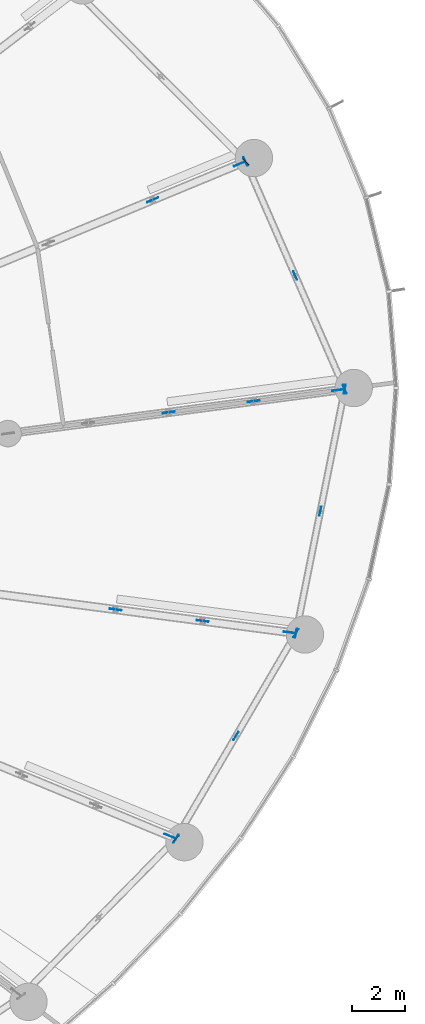
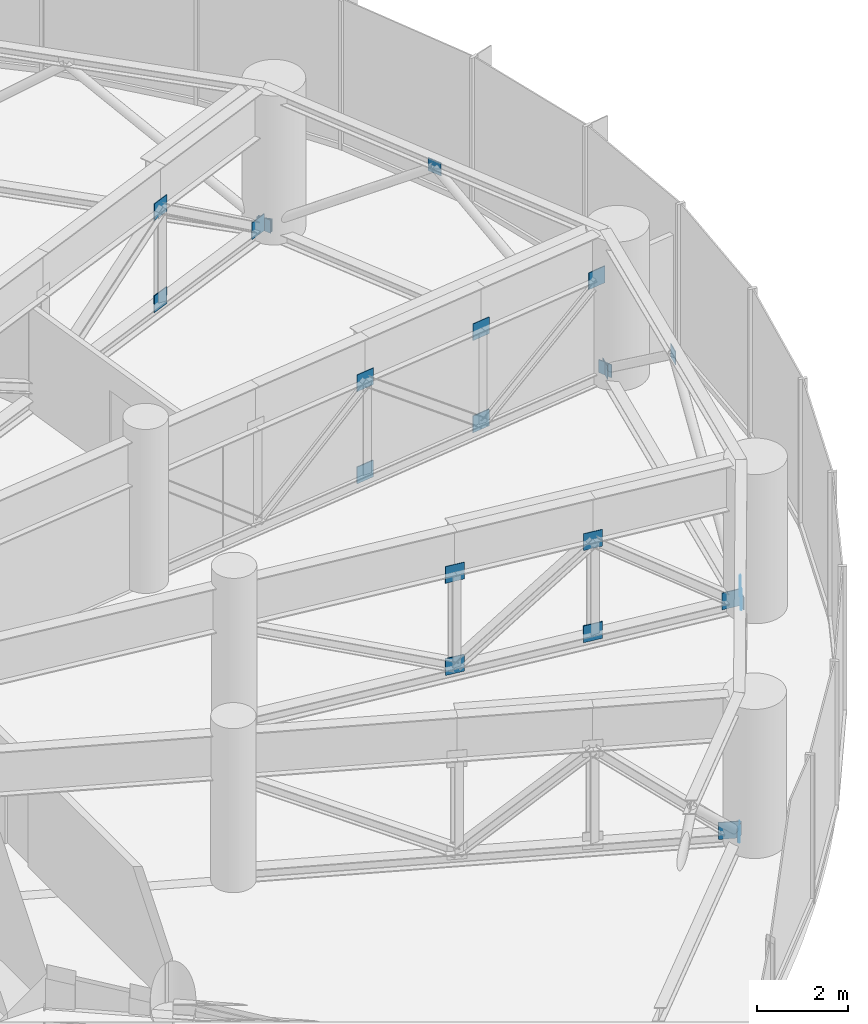
# One storey, part 38 of 42: 25 discrete accessories.
"""IFC4 building model written with IfcOpenShell, lengths in metres."""

import ifcopenshell
import ifcopenshell.guid

model = None  # the IFC model being written
_history = None  # IfcOwnerHistory: only IFC2X3 demands one
_inside = {}  # id of a spatial element -> (the spatial element, [elements in it])
_under = {}  # id of a project, library or spatial element -> (it, [spatial elements below it])
_declared = {}  # id of a project -> (the project, [libraries it declares])
_typed = {}  # id of a type object -> (the type object, [elements of that type])
_made_of = {}  # id of a material, layer set ... -> (it, [elements and type objects made of it])


def new_model(schema):
    """Start an empty IFC model of exactly this schema.

    Asked for "IFC4X3", IfcOpenShell would pick the latest addendum, in which some entities
    have other attributes; the version numbers below select the first issue.
    IFC2X3 requires an IfcOwnerHistory on every rooted entity: one is made here for all.
    """
    global model, _history
    if schema == "IFC4X3":
        model = ifcopenshell.file(schema_version=(4, 3, 0, 0))
    else:
        model = ifcopenshell.file(schema=schema)
    _inside.clear()
    _under.clear()
    _declared.clear()
    _typed.clear()
    _made_of.clear()
    _history = None
    if model.schema == "IFC2X3":
        org = make("IfcOrganization", Name="unknown")
        user = make(
            "IfcPersonAndOrganization",
            ThePerson=make("IfcPerson", FamilyName="unknown"),
            TheOrganization=org,
        )
        app = make(
            "IfcApplication",
            ApplicationDeveloper=org,
            Version="unknown",
            ApplicationFullName="unknown",
            ApplicationIdentifier="unknown",
        )
        _history = make(
            "IfcOwnerHistory",
            OwningUser=user,
            OwningApplication=app,
            ChangeAction="ADDED",
            CreationDate=0,
        )
    return model


def make(cls, **values):
    """One entity of the class cls with the attributes given. An attribute that is None is left unset."""
    return model.create_entity(
        cls, **{name: value for name, value in values.items() if value is not None}
    )


def rooted(cls, **values):
    """An entity with a GlobalId (a new one), such as an element, a storey or a relation."""
    return make(cls, GlobalId=ifcopenshell.guid.new(), OwnerHistory=_history, **values)


def si_unit(unit_type, name, prefix=None):
    """IfcSIUnit, for example si_unit("LENGTHUNIT", "METRE", prefix="MILLI")."""
    return make("IfcSIUnit", UnitType=unit_type, Prefix=prefix, Name=name)


def assignment(units):
    """IfcUnitAssignment: the units of a project."""
    return None if units is None else make("IfcUnitAssignment", Units=units)


def point(xyz):
    """IfcCartesianPoint."""
    return None if xyz is None else make("IfcCartesianPoint", Coordinates=xyz)


def direction(xyz):
    """IfcDirection."""
    return None if xyz is None else make("IfcDirection", DirectionRatios=xyz)


def frame(location, z_axis=None, x_axis=None):
    """IfcAxis2Placement3D, a coordinate frame: its origin and axes. An axis left out is left unset."""
    return make(
        "IfcAxis2Placement3D",
        Location=point(location),
        Axis=direction(z_axis),
        RefDirection=direction(x_axis),
    )


def frame_2d(location, x_axis=None):
    """IfcAxis2Placement2D, a coordinate frame in the plane: its origin and x axis."""
    return make(
        "IfcAxis2Placement2D", Location=point(location), RefDirection=direction(x_axis)
    )


def origin():
    """The frame at (0, 0, 0) with its axes left unset."""
    return frame((0.0, 0.0, 0.0))


def origin_2d():
    """The frame at (0, 0) in the plane with its x axis left unset."""
    return frame_2d((0.0, 0.0))


def place(relative_to, where):
    """IfcLocalPlacement: puts the frame where relative to a parent placement (None: the world)."""
    return make(
        "IfcLocalPlacement", PlacementRelTo=relative_to, RelativePlacement=where
    )


def context(
    kind, dimensions, precision=None, world=None, true_north=None, identifier=None
):
    """IfcGeometricRepresentationContext, for example the 3D "Model" context."""
    return make(
        "IfcGeometricRepresentationContext",
        ContextIdentifier=identifier,
        ContextType=kind,
        CoordinateSpaceDimension=dimensions,
        Precision=precision,
        WorldCoordinateSystem=world,
        TrueNorth=true_north,
    )


def subcontext(parent, identifier, kind, view, scale=None):
    """IfcGeometricRepresentationSubContext, for example "Body" below "Model"."""
    return make(
        "IfcGeometricRepresentationSubContext",
        ContextIdentifier=identifier,
        ContextType=kind,
        ParentContext=parent,
        TargetScale=scale,
        TargetView=view,
    )


def project(units=None, contexts=None):
    """IfcProject with its units and contexts."""
    return rooted(
        "IfcProject",
        Name="project",
        RepresentationContexts=contexts,
        UnitsInContext=assignment(units),
    )


def spatial(cls, under=None, at=None, **own):
    """A site, building, storey or space (cls), placed at a placement, below another one or the project."""
    s = rooted(cls, ObjectPlacement=at, **own)
    if under is not None:
        _under.setdefault(under.id(), (under, []))[1].append(s)
    return s


def profile(cls, at=None, kind="AREA", **sizes):
    """A parametric profile (cls). Its sizes go by their IFC names, for example OverallWidth=200.0."""
    return make(cls, ProfileType=kind, Position=at, **sizes)


def rectangle(**sizes):
    """IfcRectangleProfileDef."""
    return profile("IfcRectangleProfileDef", **sizes)


def extrude(swept, where, along, depth):
    """IfcExtrudedAreaSolid: the profile swept, set in the frame where, extruded along a direction by depth."""
    return make(
        "IfcExtrudedAreaSolid",
        SweptArea=swept,
        Position=where,
        ExtrudedDirection=direction(along),
        Depth=depth,
    )


def shape(context_of_items, identifier, shape_type, items):
    """IfcShapeRepresentation: the items that make up one representation, for example the "Body"."""
    return make(
        "IfcShapeRepresentation",
        ContextOfItems=context_of_items,
        RepresentationIdentifier=identifier,
        RepresentationType=shape_type,
        Items=items,
    )


def source(mapping_origin, context_of_items, identifier, shape_type, items):
    """IfcRepresentationMap: a shape defined once, which mapped items show again and again."""
    return make(
        "IfcRepresentationMap",
        MappingOrigin=mapping_origin,
        MappedRepresentation=shape(context_of_items, identifier, shape_type, items),
    )


def transform(
    local_origin,
    x_axis=None,
    y_axis=None,
    z_axis=None,
    scale=None,
    scale2=None,
    scale3=None,
    uniform=True,
):
    """IfcCartesianTransformationOperator3D, or its non-uniform kind. x_axis, y_axis, z_axis: its Axis1, 2, 3."""
    if uniform:
        return make(
            "IfcCartesianTransformationOperator3D",
            Axis1=direction(x_axis),
            Axis2=direction(y_axis),
            LocalOrigin=point(local_origin),
            Scale=scale,
            Axis3=direction(z_axis),
        )
    return make(
        "IfcCartesianTransformationOperator3DnonUniform",
        Axis1=direction(x_axis),
        Axis2=direction(y_axis),
        LocalOrigin=point(local_origin),
        Scale=scale,
        Axis3=direction(z_axis),
        Scale2=scale2,
        Scale3=scale3,
    )


def mapped(mapping_source, mapping_target):
    """IfcMappedItem: shows the shape of a source again, moved by a transform."""
    return make(
        "IfcMappedItem", MappingSource=mapping_source, MappingTarget=mapping_target
    )


def material(Name=None, Category=None):
    """IfcMaterial."""
    return make("IfcMaterial", Name=Name, Category=Category)


def layer(
    of_material, thickness, ventilated=None, Name=None, Category=None, Priority=None
):
    """IfcMaterialLayer: one layer of a wall or slab, of a material (None: an air gap)."""
    return make(
        "IfcMaterialLayer",
        Material=of_material,
        LayerThickness=thickness,
        IsVentilated=ventilated,
        Name=Name,
        Category=Category,
        Priority=Priority,
    )


def layer_set(layers, Name=None):
    """IfcMaterialLayerSet."""
    return make("IfcMaterialLayerSet", MaterialLayers=layers, LayerSetName=Name)


def made_of(thing, what):
    """Note that an element or type object is made of a material, layer set ...; save() writes the relation."""
    if what is not None:
        _made_of.setdefault(what.id(), (what, []))[1].append(thing)
    return thing


def type_object(cls, material=None, **own):
    """A type object (cls), such as IfcWallType, which elements share."""
    return made_of(rooted(cls, **own), material)


def element(
    cls,
    number,
    at=None,
    inside=None,
    cuts=None,
    type_object=None,
    material=None,
    context=None,
    identifier="Body",
    shape_type=None,
    held_by="IfcProductDefinitionShape",
    body=None,
    shapes=None,
    **own,
):
    """One element of the class cls, such as IfcWall. Its Tag is "e" and its number.

    at: its placement. inside: the storey or other place that contains it. cuts: it is an
    opening in that element (IfcRelVoidsElement). A single representation is given by context,
    identifier, shape_type and body (its items); several are given by shapes. held_by: the class
    of the entity that holds the representations. save() writes the other relations.
    """
    e = rooted(cls, Tag="e%d" % number, ObjectPlacement=at, **own)
    if body is not None:
        shapes = [shape(context, identifier, shape_type, body)]
    if shapes is not None:
        e.Representation = make(held_by, Representations=shapes)
    if inside is not None:
        _inside.setdefault(inside.id(), (inside, []))[1].append(e)
    if cuts is not None:
        rooted(
            "IfcRelVoidsElement", RelatingBuildingElement=cuts, RelatedOpeningElement=e
        )
    if type_object is not None:
        _typed.setdefault(type_object.id(), (type_object, []))[1].append(e)
    return made_of(e, material)


def aggregate(whole, parts):
    """IfcRelAggregates: a whole, such as a stair, and the parts it consists of."""
    return rooted("IfcRelAggregates", RelatingObject=whole, RelatedObjects=parts)


def save(model, path):
    """Write the relations noted so far, then the file.

    IfcRelAggregates (storeys below a building ...), IfcRelContainedInSpatialStructure (elements
    in a storey), IfcRelDefinesByType, IfcRelAssociatesMaterial and IfcRelDeclares: one each for
    every whole, place, type object, material and project.
    """
    for whole, parts in _under.values():
        aggregate(whole, parts)
    for where, things in _inside.values():
        rooted(
            "IfcRelContainedInSpatialStructure",
            RelatedElements=things,
            RelatingStructure=where,
        )
    for kind, things in _typed.values():
        rooted("IfcRelDefinesByType", RelatedObjects=things, RelatingType=kind)
    for what, things in _made_of.values():
        rooted("IfcRelAssociatesMaterial", RelatedObjects=things, RelatingMaterial=what)
    for by, libraries in _declared.values():
        rooted("IfcRelDeclares", RelatingContext=by, RelatedDefinitions=libraries)
    model.write(path)


model = new_model("IFC4")

# Units and contexts
model_context = context("Model", 3, precision=1e-05, world=origin(), true_north=direction((0.0, 1.0)))
body_context = subcontext(model_context, "Body", "Model", "MODEL_VIEW")
ifc_project = project(units=[si_unit("LENGTHUNIT", "METRE"), si_unit("AREAUNIT", "SQUARE_METRE"), si_unit("VOLUMEUNIT", "CUBIC_METRE"), si_unit("PLANEANGLEUNIT", "RADIAN"), si_unit("MASSUNIT", "GRAM", prefix="KILO")], contexts=[model_context])

# Site, building, storey
site_placement = place(None, origin())
site = spatial("IfcSite", under=ifc_project, at=site_placement, CompositionType="ELEMENT")
building_placement = place(site_placement, origin())
building = spatial("IfcBuilding", under=site, at=building_placement, Name="Spindrift Exchange Tower", CompositionType="ELEMENT")
storey_placement = place(building_placement, frame((0.0, 0.0, 75.39990234375)))
storey = spatial("IfcBuildingStorey", under=building, at=storey_placement, Name="L17", CompositionType="ELEMENT", Elevation=75.39990234375)

# Discrete accessories
ifc_material = material(Name="Steel Grade 350", Category="steel")
ifc_layer_1 = layer(ifc_material, 0.02490234375)
ifc_layer_set_1 = layer_set([ifc_layer_1], Name="Gusset plate 450x450x25 Steel Grade 350")
discrete_accessory_type_1 = type_object("IfcDiscreteAccessoryType", Name="Gusset plate 450x450x25 Steel Grade 350", PredefinedType="USERDEFINED", material=ifc_layer_set_1)
shared_shape_1 = source(origin(), body_context, "Body", "SweptSolid", [
    extrude(rectangle(XDim=0.449951171875, YDim=0.02490234375, at=origin_2d()), origin(), (0.0, 0.0, 1.0), 0.449951171875),
])
for number, where, z_axis, x_axis, name in (
    (1, (81.056396484375, 51.8251953125, 2.5751953125), (0.0, 0.0, 1.0), (0.991446228187, 0.130515809827, 0.0), "L17 gusset plate GP1 01"),
    (2, (84.23583984375, 52.243896484375, 0.10205078125), (0.0, 0.0, 1.0), (0.991444405745, 0.130529653015, 0.0), "L17 gusset plate GP1 01"),
    (3, (87.415283203125, 52.66259765625, 2.5751953125), (0.0, 0.0, 1.0), (0.991444861374, 0.13052619222, 0.0), "L17 gusset plate GP1 01"),
    (4, (81.056396484375, 51.8251953125, 0.10205078125), (0.0, 0.0, 1.0), (0.991444861374, 0.13052619222, 0.0), "L17 gusset plate GP1 01"),
    (5, (84.23583984375, 52.243896484375, 2.5751953125), (0.0, 0.0, 1.0), (0.991444861374, 0.13052619222, 0.0), "L17 gusset plate GP1 01"),
    (6, (80.45556640625, 59.78662109375, 2.5751953125), (0.0, 0.0, 1.0), (0.923886879335, 0.382665695081, 0.0), "L17 gusset plate GP1 02"),
    (7, (83.712890625, 61.135986328125, 0.10205078125), (0.0, 0.0, 1.0), (0.923869513566, 0.382707619344, 0.0), "L17 gusset plate GP1 02"),
    (8, (80.45556640625, 59.78662109375, 0.10205078125), (0.0, 0.0, 1.0), (0.923879532511, 0.382683432365, 0.0), "L17 gusset plate GP1 02"),
    (9, (81.108642578125, 35.94287109375, 0.10205078125), (0.0, 0.0, 1.0), (0.923882204123, -0.38267698246, 0.0), "L17 gusset plate GP1 23"),
    (10, (79.064453125, 44.43701171875, 0.10205078125), (0.0, 0.0, 1.0), (0.991443950105, -0.130533113808, 0.0), "L17 gusset plate GP1 24"),
    (11, (82.3251953125, 44.007568359375, 2.5751953125), (0.0, 0.0, 1.0), (0.991444633561, -0.130527922618, 0.0), "L17 gusset plate GP1 24"),
    (12, (85.586181640625, 43.578369140625, 0.10205078125), (0.0, 0.0, 1.0), (0.991445089183, -0.130524461822, 0.0), "L17 gusset plate GP1 24"),
    (13, (79.064453125, 44.43701171875, 2.5751953125), (0.0, 0.0, 1.0), (0.991444861374, -0.13052619222, 0.0), "L17 gusset plate GP1 24"),
    (14, (82.3251953125, 44.007568359375, 0.10205078125), (0.0, 0.0, 1.0), (0.991444861374, -0.13052619222, 0.0), "L17 gusset plate GP1 24"),
):
    element("IfcDiscreteAccessory", number, at=place(storey_placement, frame(where, z_axis=z_axis, x_axis=x_axis)), inside=storey, type_object=discrete_accessory_type_1, Name=name, ObjectType="Gusset plate", PredefinedType="USERDEFINED", context=body_context, shape_type="MappedRepresentation", body=[
        mapped(shared_shape_1, transform((0.0, 0.0, 0.0), scale=1.0)),
    ])
ifc_layer_2 = layer(ifc_material, 0.02001953125)
ifc_layer_set_2 = layer_set([ifc_layer_2], Name="Gusset plate 350x350x20 Steel Grade 350")
discrete_accessory_type_2 = type_object("IfcDiscreteAccessoryType", Name="Gusset plate 350x350x20 Steel Grade 350", PredefinedType="USERDEFINED", material=ifc_layer_set_2)
shared_shape_2 = source(origin(), body_context, "Body", "SweptSolid", [
    extrude(rectangle(XDim=0.35009765625, YDim=0.02001953125, at=origin_2d()), origin(), (0.0, 0.0, 1.0), 0.35009765625),
])
for number, where, z_axis, x_axis, name in (
    (15, (87.6533203125, 52.69384765625, 0.0849609375), (0.0, 0.0, 1.0), (-0.399464403086, 0.91674870639, 0.0), "L17 gusset plate GP2 01"),
    (16, (85.7939453125, 56.960693359375, 3.56494140625), (0.0, 0.0, 1.0), (-0.399464403086, 0.91674870639, 0.0), "L17 gusset plate GP2 01"),
    (17, (83.934814453125, 61.227783203125, 0.0849609375), (0.0, 0.0, 1.0), (-0.399445202658, 0.916757072552, 0.0), "L17 gusset plate GP2 01"),
    (18, (83.934814453125, 61.227783203125, 0.0849609375), (0.0, 0.0, 1.0), (-0.705964286099, 0.708247433284, 0.0), "L17 gusset plate GP2 02"),
    (19, (81.330322265625, 35.850830078125, 0.0849609375), (0.0, 0.0, 1.0), (0.700601719532, 0.713552542276, 0.0), "L17 gusset plate GP2 22"),
    (20, (81.330322265625, 35.850830078125, 0.0849609375), (0.0, 0.0, 1.0), (0.504227718397, 0.863570731324, 0.0), "L17 gusset plate GP2 23"),
    (21, (83.5771484375, 39.698974609375, 3.56494140625), (0.0, 0.0, 1.0), (0.504227718397, 0.863570731324, 0.0), "L17 gusset plate GP2 23"),
    (22, (85.82421875, 43.547119140625, 0.0849609375), (0.0, 0.0, 1.0), (0.504235254455, 0.863566331074, 0.0), "L17 gusset plate GP2 23"),
    (23, (85.82421875, 43.547119140625, 0.0849609375), (0.0, 0.0, 1.0), (0.196100176415, 0.980583867301, 0.0), "L17 gusset plate GP2 24"),
    (24, (86.73876953125, 48.120361328125, 3.56494140625), (0.0, 0.0, 1.0), (0.196100176415, 0.980583867301, 0.0), "L17 gusset plate GP2 24"),
    (25, (87.6533203125, 52.69384765625, 0.0849609375), (0.0, 0.0, 1.0), (0.196100176415, 0.980583867301, 0.0), "L17 gusset plate GP2 24"),
):
    element("IfcDiscreteAccessory", number, at=place(storey_placement, frame(where, z_axis=z_axis, x_axis=x_axis)), inside=storey, type_object=discrete_accessory_type_2, Name=name, ObjectType="Gusset plate", PredefinedType="USERDEFINED", context=body_context, shape_type="MappedRepresentation", body=[
        mapped(shared_shape_2, transform((0.0, 0.0, 0.0), scale=1.0)),
    ])

save(model, "model.ifc")
